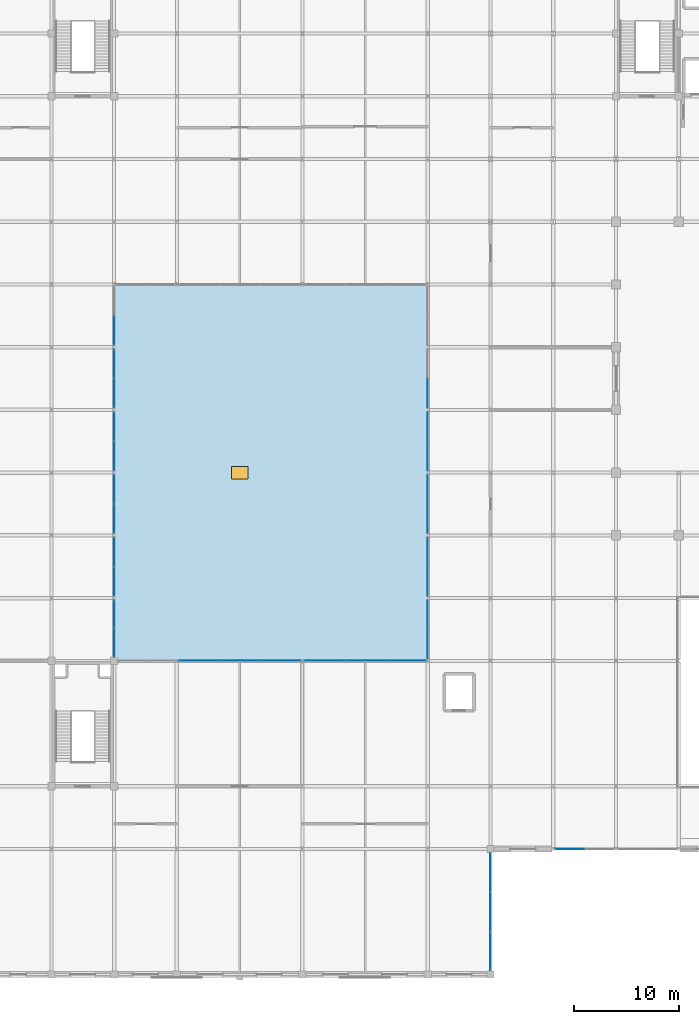
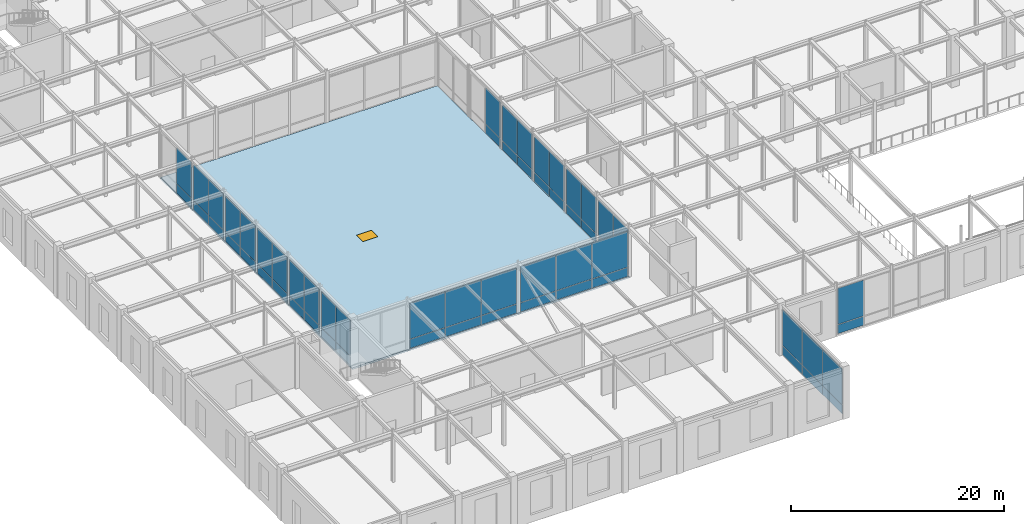
# One storey, part 93 of 108: 60 plates, 1 slab, 1 window, 1 opening, 15 elements without a shape of their own.
"""IFC4 building model written with IfcOpenShell, lengths in metres."""

from ifc_helpers import new_model, si_unit, direction, frame, origin, origin_2d, place, context, subcontext, project, spatial, polyline, rectangle, outline, extrude, material, layer, layer_set, type_object, element, fill, aggregate, save


model = new_model("IFC4")

# Units and contexts
model_context = context("Model", 3, precision=1e-05, world=origin(), true_north=direction((0.0, 1.0)))
body_context = subcontext(model_context, "Body", "Model", "MODEL_VIEW")
ifc_project = project(units=[si_unit("LENGTHUNIT", "METRE"), si_unit("AREAUNIT", "SQUARE_METRE"), si_unit("VOLUMEUNIT", "CUBIC_METRE"), si_unit("PLANEANGLEUNIT", "RADIAN"), si_unit("MASSUNIT", "GRAM", prefix="KILO")], contexts=[model_context])

# Site, building, storey
site_placement = place(None, origin())
site = spatial("IfcSite", under=ifc_project, at=site_placement, CompositionType="ELEMENT")
building_placement = place(site_placement, origin())
building = spatial("IfcBuilding", under=site, at=building_placement, Name="Zlatovratsky Civic Hall", CompositionType="ELEMENT")
storey_placement = place(building_placement, frame((0.0, 0.0, 6.0)))
storey = spatial("IfcBuildingStorey", under=building, at=storey_placement, Name="L02", CompositionType="ELEMENT", Elevation=6.0)

# Curtain wall, plates
ifc_material_1 = material(Name="Anodised bronze aluminium", Category="aluminium")
ifc_layer_1 = layer(ifc_material_1, 0.159912109375)
ifc_layer_set_1 = layer_set([ifc_layer_1], Name="Anodised bronze aluminium")
curtain_wall_type_1 = type_object("IfcCurtainWallType", Name="CurtainWall_Bronze_11700x5310_05", PredefinedType="NOTDEFINED", material=ifc_layer_set_1)
curtain_wall_1_placement = place(storey_placement, origin())
curtain_wall_1 = element("IfcCurtainWall", 1, at=curtain_wall_1_placement, inside=storey, type_object=curtain_wall_type_1, Name="CW-010", PredefinedType="NOTDEFINED")
ifc_material_2 = material(Name="Low-E laminated double glazing", Category="glass")
ifc_layer_2 = layer(ifc_material_2, 0.02392578125)
ifc_layer_set_2 = layer_set([ifc_layer_2], Name="Low-E laminated double glazing")
plate_type_1 = type_object("IfcPlateType", Name="Panel_CourtGlazing_24", PredefinedType="CURTAIN_PANEL", material=ifc_layer_set_2)
plate_1_placement = place(storey_placement, frame((26.114990234375, 30.0, 0.06005859375), z_axis=(0.0, 0.0, 1.0), x_axis=(1.0, 0.0, 0.0)))
plate_1 = element("IfcPlate", 2, at=plate_1_placement, type_object=plate_type_1, Name="CW-05 panel 1.1", PredefinedType="CURTAIN_PANEL", context=body_context, shape_type="SweptSolid", body=[
    extrude(rectangle(XDim=3.81005859375, YDim=0.02392578125, at=origin_2d()), origin(), (0.0, 0.0, 1.0), 1.010009765625),
])
plate_2_placement = place(storey_placement, frame((26.114990234375, 30.0, 1.1298828125), z_axis=(0.0, 0.0, 1.0), x_axis=(1.0, 0.0, 0.0)))
plate_2 = element("IfcPlate", 3, at=plate_2_placement, type_object=plate_type_1, Name="CW-05 panel 1.2", PredefinedType="CURTAIN_PANEL", context=body_context, shape_type="SweptSolid", body=[
    extrude(rectangle(XDim=3.81005859375, YDim=0.02392578125, at=origin_2d()), origin(), (0.0, 0.0, 1.0), 4.1201171875),
])
plate_3_placement = place(storey_placement, frame((30.0, 30.0, 0.06005859375), z_axis=(0.0, 0.0, 1.0), x_axis=(1.0, 0.0, 0.0)))
plate_3 = element("IfcPlate", 4, at=plate_3_placement, type_object=plate_type_1, Name="CW-05 panel 2.1", PredefinedType="CURTAIN_PANEL", context=body_context, shape_type="SweptSolid", body=[
    extrude(rectangle(XDim=3.840087890625, YDim=0.02392578125, at=origin_2d()), origin(), (0.0, 0.0, 1.0), 1.010009765625),
])
plate_4_placement = place(storey_placement, frame((30.0, 30.0, 1.1298828125), z_axis=(0.0, 0.0, 1.0), x_axis=(1.0, 0.0, 0.0)))
plate_4 = element("IfcPlate", 5, at=plate_4_placement, type_object=plate_type_1, Name="CW-05 panel 2.2", PredefinedType="CURTAIN_PANEL", context=body_context, shape_type="SweptSolid", body=[
    extrude(rectangle(XDim=3.840087890625, YDim=0.02392578125, at=origin_2d()), origin(), (0.0, 0.0, 1.0), 4.1201171875),
])
plate_5_placement = place(storey_placement, frame((33.885009765625, 30.0, 0.06005859375), z_axis=(0.0, 0.0, 1.0), x_axis=(1.0, 0.0, 0.0)))
plate_5 = element("IfcPlate", 6, at=plate_5_placement, type_object=plate_type_1, Name="CW-05 panel 3.1", PredefinedType="CURTAIN_PANEL", context=body_context, shape_type="SweptSolid", body=[
    extrude(rectangle(XDim=3.81005859375, YDim=0.02392578125, at=origin_2d()), origin(), (0.0, 0.0, 1.0), 1.010009765625),
])
plate_6_placement = place(storey_placement, frame((33.885009765625, 30.0, 1.1298828125), z_axis=(0.0, 0.0, 1.0), x_axis=(1.0, 0.0, 0.0)))
plate_6 = element("IfcPlate", 7, at=plate_6_placement, type_object=plate_type_1, Name="CW-05 panel 3.2", PredefinedType="CURTAIN_PANEL", context=body_context, shape_type="SweptSolid", body=[
    extrude(rectangle(XDim=3.81005859375, YDim=0.02392578125, at=origin_2d()), origin(), (0.0, 0.0, 1.0), 4.1201171875),
])
aggregate(curtain_wall_1, [plate_1, plate_2, plate_3, plate_4, plate_5, plate_6])

curtain_wall_2_placement = place(storey_placement, origin())
curtain_wall_2 = element("IfcCurtainWall", 8, at=curtain_wall_2_placement, inside=storey, type_object=curtain_wall_type_1, Name="CW-011", PredefinedType="NOTDEFINED")
plate_7_placement = place(storey_placement, frame((38.114990234375, 30.0, 0.06005859375), z_axis=(0.0, 0.0, 1.0), x_axis=(1.0, 0.0, 0.0)))
plate_7 = element("IfcPlate", 9, at=plate_7_placement, type_object=plate_type_1, Name="CW-05 panel 1.1", PredefinedType="CURTAIN_PANEL", context=body_context, shape_type="SweptSolid", body=[
    extrude(rectangle(XDim=3.81005859375, YDim=0.02392578125, at=origin_2d()), origin(), (0.0, 0.0, 1.0), 1.010009765625),
])
plate_8_placement = place(storey_placement, frame((38.114990234375, 30.0, 1.1298828125), z_axis=(0.0, 0.0, 1.0), x_axis=(1.0, 0.0, 0.0)))
plate_8 = element("IfcPlate", 10, at=plate_8_placement, type_object=plate_type_1, Name="CW-05 panel 1.2", PredefinedType="CURTAIN_PANEL", context=body_context, shape_type="SweptSolid", body=[
    extrude(rectangle(XDim=3.81005859375, YDim=0.02392578125, at=origin_2d()), origin(), (0.0, 0.0, 1.0), 4.1201171875),
])
plate_9_placement = place(storey_placement, frame((42.0, 30.0, 0.06005859375), z_axis=(0.0, 0.0, 1.0), x_axis=(1.0, 0.0, 0.0)))
plate_9 = element("IfcPlate", 11, at=plate_9_placement, type_object=plate_type_1, Name="CW-05 panel 2.1", PredefinedType="CURTAIN_PANEL", context=body_context, shape_type="SweptSolid", body=[
    extrude(rectangle(XDim=3.840087890625, YDim=0.02392578125, at=origin_2d()), origin(), (0.0, 0.0, 1.0), 1.010009765625),
])
plate_10_placement = place(storey_placement, frame((42.0, 30.0, 1.1298828125), z_axis=(0.0, 0.0, 1.0), x_axis=(1.0, 0.0, 0.0)))
plate_10 = element("IfcPlate", 12, at=plate_10_placement, type_object=plate_type_1, Name="CW-05 panel 2.2", PredefinedType="CURTAIN_PANEL", context=body_context, shape_type="SweptSolid", body=[
    extrude(rectangle(XDim=3.840087890625, YDim=0.02392578125, at=origin_2d()), origin(), (0.0, 0.0, 1.0), 4.1201171875),
])
plate_11_placement = place(storey_placement, frame((45.885009765625, 30.0, 0.06005859375), z_axis=(0.0, 0.0, 1.0), x_axis=(1.0, 0.0, 0.0)))
plate_11 = element("IfcPlate", 13, at=plate_11_placement, type_object=plate_type_1, Name="CW-05 panel 3.1", PredefinedType="CURTAIN_PANEL", context=body_context, shape_type="SweptSolid", body=[
    extrude(rectangle(XDim=3.81005859375, YDim=0.02392578125, at=origin_2d()), origin(), (0.0, 0.0, 1.0), 1.010009765625),
])
plate_12_placement = place(storey_placement, frame((45.885009765625, 30.0, 1.1298828125), z_axis=(0.0, 0.0, 1.0), x_axis=(1.0, 0.0, 0.0)))
plate_12 = element("IfcPlate", 14, at=plate_12_placement, type_object=plate_type_1, Name="CW-05 panel 3.2", PredefinedType="CURTAIN_PANEL", context=body_context, shape_type="SweptSolid", body=[
    extrude(rectangle(XDim=3.81005859375, YDim=0.02392578125, at=origin_2d()), origin(), (0.0, 0.0, 1.0), 4.1201171875),
])
aggregate(curtain_wall_2, [plate_7, plate_8, plate_9, plate_10, plate_11, plate_12])

ifc_layer_3 = layer(ifc_material_1, 0.159912109375)
ifc_layer_set_3 = layer_set([ifc_layer_3], Name="Anodised bronze aluminium")
curtain_wall_type_2 = type_object("IfcCurtainWallType", Name="CurtainWall_Bronze_5500x5310_04", PredefinedType="NOTDEFINED", material=ifc_layer_set_3)
curtain_wall_3_placement = place(storey_placement, origin())
curtain_wall_3 = element("IfcCurtainWall", 15, at=curtain_wall_3_placement, inside=storey, type_object=curtain_wall_type_2, Name="CW-015", PredefinedType="NOTDEFINED")
plate_13_placement = place(storey_placement, frame((18.0, 31.739990234375, 0.06005859375), z_axis=(0.0, 0.0, 1.0), x_axis=(0.0, 1.0, 0.0)))
plate_13 = element("IfcPlate", 16, at=plate_13_placement, type_object=plate_type_1, Name="CW-04 panel 1.1", PredefinedType="CURTAIN_PANEL", context=body_context, shape_type="SweptSolid", body=[
    extrude(rectangle(XDim=2.659912109375, YDim=0.02392578125, at=origin_2d()), origin(), (0.0, 0.0, 1.0), 1.010009765625),
])
plate_14_placement = place(storey_placement, frame((18.0, 31.739990234375, 1.1298828125), z_axis=(0.0, 0.0, 1.0), x_axis=(0.0, 1.0, 0.0)))
plate_14 = element("IfcPlate", 17, at=plate_14_placement, type_object=plate_type_1, Name="CW-04 panel 1.2", PredefinedType="CURTAIN_PANEL", context=body_context, shape_type="SweptSolid", body=[
    extrude(rectangle(XDim=2.659912109375, YDim=0.02392578125, at=origin_2d()), origin(), (0.0, 0.0, 1.0), 4.1201171875),
])
plate_15_placement = place(storey_placement, frame((18.0, 34.4599609375, 0.06005859375), z_axis=(0.0, 0.0, 1.0), x_axis=(0.0, 1.0, 0.0)))
plate_15 = element("IfcPlate", 18, at=plate_15_placement, type_object=plate_type_1, Name="CW-04 panel 2.1", PredefinedType="CURTAIN_PANEL", context=body_context, shape_type="SweptSolid", body=[
    extrude(rectangle(XDim=2.659912109375, YDim=0.02392578125, at=origin_2d()), origin(), (0.0, 0.0, 1.0), 1.010009765625),
])
plate_16_placement = place(storey_placement, frame((18.0, 34.4599609375, 1.1298828125), z_axis=(0.0, 0.0, 1.0), x_axis=(0.0, 1.0, 0.0)))
plate_16 = element("IfcPlate", 19, at=plate_16_placement, type_object=plate_type_1, Name="CW-04 panel 2.2", PredefinedType="CURTAIN_PANEL", context=body_context, shape_type="SweptSolid", body=[
    extrude(rectangle(XDim=2.659912109375, YDim=0.02392578125, at=origin_2d()), origin(), (0.0, 0.0, 1.0), 4.1201171875),
])
aggregate(curtain_wall_3, [plate_13, plate_14, plate_15, plate_16])

ifc_layer_4 = layer(ifc_material_1, 0.159912109375)
ifc_layer_set_4 = layer_set([ifc_layer_4], Name="Anodised bronze aluminium")
curtain_wall_type_3 = type_object("IfcCurtainWallType", Name="CurtainWall_Bronze_5700x5310_06", PredefinedType="NOTDEFINED", material=ifc_layer_set_4)
curtain_wall_4_placement = place(storey_placement, origin())
curtain_wall_4 = element("IfcCurtainWall", 20, at=curtain_wall_4_placement, inside=storey, type_object=curtain_wall_type_3, Name="CW-016", PredefinedType="NOTDEFINED")
plate_17_placement = place(storey_placement, frame((18.0, 37.590087890625, 0.06005859375), z_axis=(0.0, 0.0, 1.0), x_axis=(0.0, 1.0, 0.0)))
plate_17 = element("IfcPlate", 21, at=plate_17_placement, type_object=plate_type_1, Name="CW-06 panel 1.1", PredefinedType="CURTAIN_PANEL", context=body_context, shape_type="SweptSolid", body=[
    extrude(rectangle(XDim=2.760009765625, YDim=0.02392578125, at=origin_2d()), origin(), (0.0, 0.0, 1.0), 1.010009765625),
])
plate_18_placement = place(storey_placement, frame((18.0, 37.590087890625, 1.1298828125), z_axis=(0.0, 0.0, 1.0), x_axis=(0.0, 1.0, 0.0)))
plate_18 = element("IfcPlate", 22, at=plate_18_placement, type_object=plate_type_1, Name="CW-06 panel 1.2", PredefinedType="CURTAIN_PANEL", context=body_context, shape_type="SweptSolid", body=[
    extrude(rectangle(XDim=2.760009765625, YDim=0.02392578125, at=origin_2d()), origin(), (0.0, 0.0, 1.0), 4.1201171875),
])
plate_19_placement = place(storey_placement, frame((18.0, 40.409912109375, 0.06005859375), z_axis=(0.0, 0.0, 1.0), x_axis=(0.0, 1.0, 0.0)))
plate_19 = element("IfcPlate", 23, at=plate_19_placement, type_object=plate_type_1, Name="CW-06 panel 2.1", PredefinedType="CURTAIN_PANEL", context=body_context, shape_type="SweptSolid", body=[
    extrude(rectangle(XDim=2.760009765625, YDim=0.02392578125, at=origin_2d()), origin(), (0.0, 0.0, 1.0), 1.010009765625),
])
plate_20_placement = place(storey_placement, frame((18.0, 40.409912109375, 1.1298828125), z_axis=(0.0, 0.0, 1.0), x_axis=(0.0, 1.0, 0.0)))
plate_20 = element("IfcPlate", 24, at=plate_20_placement, type_object=plate_type_1, Name="CW-06 panel 2.2", PredefinedType="CURTAIN_PANEL", context=body_context, shape_type="SweptSolid", body=[
    extrude(rectangle(XDim=2.760009765625, YDim=0.02392578125, at=origin_2d()), origin(), (0.0, 0.0, 1.0), 4.1201171875),
])
aggregate(curtain_wall_4, [plate_17, plate_18, plate_19, plate_20])

curtain_wall_5_placement = place(storey_placement, origin())
curtain_wall_5 = element("IfcCurtainWall", 25, at=curtain_wall_5_placement, inside=storey, type_object=curtain_wall_type_3, Name="CW-017", PredefinedType="NOTDEFINED")
plate_21_placement = place(storey_placement, frame((18.0, 43.590087890625, 0.06005859375), z_axis=(0.0, 0.0, 1.0), x_axis=(0.0, 1.0, 0.0)))
plate_21 = element("IfcPlate", 26, at=plate_21_placement, type_object=plate_type_1, Name="CW-06 panel 1.1", PredefinedType="CURTAIN_PANEL", context=body_context, shape_type="SweptSolid", body=[
    extrude(rectangle(XDim=2.760009765625, YDim=0.02392578125, at=origin_2d()), origin(), (0.0, 0.0, 1.0), 1.010009765625),
])
plate_22_placement = place(storey_placement, frame((18.0, 43.590087890625, 1.1298828125), z_axis=(0.0, 0.0, 1.0), x_axis=(0.0, 1.0, 0.0)))
plate_22 = element("IfcPlate", 27, at=plate_22_placement, type_object=plate_type_1, Name="CW-06 panel 1.2", PredefinedType="CURTAIN_PANEL", context=body_context, shape_type="SweptSolid", body=[
    extrude(rectangle(XDim=2.760009765625, YDim=0.02392578125, at=origin_2d()), origin(), (0.0, 0.0, 1.0), 4.1201171875),
])
plate_23_placement = place(storey_placement, frame((18.0, 46.409912109375, 0.06005859375), z_axis=(0.0, 0.0, 1.0), x_axis=(0.0, 1.0, 0.0)))
plate_23 = element("IfcPlate", 28, at=plate_23_placement, type_object=plate_type_1, Name="CW-06 panel 2.1", PredefinedType="CURTAIN_PANEL", context=body_context, shape_type="SweptSolid", body=[
    extrude(rectangle(XDim=2.760009765625, YDim=0.02392578125, at=origin_2d()), origin(), (0.0, 0.0, 1.0), 1.010009765625),
])
plate_24_placement = place(storey_placement, frame((18.0, 46.409912109375, 1.1298828125), z_axis=(0.0, 0.0, 1.0), x_axis=(0.0, 1.0, 0.0)))
plate_24 = element("IfcPlate", 29, at=plate_24_placement, type_object=plate_type_1, Name="CW-06 panel 2.2", PredefinedType="CURTAIN_PANEL", context=body_context, shape_type="SweptSolid", body=[
    extrude(rectangle(XDim=2.760009765625, YDim=0.02392578125, at=origin_2d()), origin(), (0.0, 0.0, 1.0), 4.1201171875),
])
aggregate(curtain_wall_5, [plate_21, plate_22, plate_23, plate_24])

curtain_wall_6_placement = place(storey_placement, origin())
curtain_wall_6 = element("IfcCurtainWall", 30, at=curtain_wall_6_placement, inside=storey, type_object=curtain_wall_type_3, Name="CW-018", PredefinedType="NOTDEFINED")
plate_25_placement = place(storey_placement, frame((18.0, 49.590087890625, 0.06005859375), z_axis=(0.0, 0.0, 1.0), x_axis=(0.0, 1.0, 0.0)))
plate_25 = element("IfcPlate", 31, at=plate_25_placement, type_object=plate_type_1, Name="CW-06 panel 1.1", PredefinedType="CURTAIN_PANEL", context=body_context, shape_type="SweptSolid", body=[
    extrude(rectangle(XDim=2.760009765625, YDim=0.02392578125, at=origin_2d()), origin(), (0.0, 0.0, 1.0), 1.010009765625),
])
plate_26_placement = place(storey_placement, frame((18.0, 49.590087890625, 1.1298828125), z_axis=(0.0, 0.0, 1.0), x_axis=(0.0, 1.0, 0.0)))
plate_26 = element("IfcPlate", 32, at=plate_26_placement, type_object=plate_type_1, Name="CW-06 panel 1.2", PredefinedType="CURTAIN_PANEL", context=body_context, shape_type="SweptSolid", body=[
    extrude(rectangle(XDim=2.760009765625, YDim=0.02392578125, at=origin_2d()), origin(), (0.0, 0.0, 1.0), 4.1201171875),
])
plate_27_placement = place(storey_placement, frame((18.0, 52.409912109375, 0.06005859375), z_axis=(0.0, 0.0, 1.0), x_axis=(0.0, 1.0, 0.0)))
plate_27 = element("IfcPlate", 33, at=plate_27_placement, type_object=plate_type_1, Name="CW-06 panel 2.1", PredefinedType="CURTAIN_PANEL", context=body_context, shape_type="SweptSolid", body=[
    extrude(rectangle(XDim=2.760009765625, YDim=0.02392578125, at=origin_2d()), origin(), (0.0, 0.0, 1.0), 1.010009765625),
])
plate_28_placement = place(storey_placement, frame((18.0, 52.409912109375, 1.1298828125), z_axis=(0.0, 0.0, 1.0), x_axis=(0.0, 1.0, 0.0)))
plate_28 = element("IfcPlate", 34, at=plate_28_placement, type_object=plate_type_1, Name="CW-06 panel 2.2", PredefinedType="CURTAIN_PANEL", context=body_context, shape_type="SweptSolid", body=[
    extrude(rectangle(XDim=2.760009765625, YDim=0.02392578125, at=origin_2d()), origin(), (0.0, 0.0, 1.0), 4.1201171875),
])
aggregate(curtain_wall_6, [plate_25, plate_26, plate_27, plate_28])

curtain_wall_7_placement = place(storey_placement, origin())
curtain_wall_7 = element("IfcCurtainWall", 35, at=curtain_wall_7_placement, inside=storey, type_object=curtain_wall_type_3, Name="CW-019", PredefinedType="NOTDEFINED")
plate_29_placement = place(storey_placement, frame((18.0, 55.590087890625, 0.06005859375), z_axis=(0.0, 0.0, 1.0), x_axis=(0.0, 1.0, 0.0)))
plate_29 = element("IfcPlate", 36, at=plate_29_placement, type_object=plate_type_1, Name="CW-06 panel 1.1", PredefinedType="CURTAIN_PANEL", context=body_context, shape_type="SweptSolid", body=[
    extrude(rectangle(XDim=2.760009765625, YDim=0.02392578125, at=origin_2d()), origin(), (0.0, 0.0, 1.0), 1.010009765625),
])
plate_30_placement = place(storey_placement, frame((18.0, 55.590087890625, 1.1298828125), z_axis=(0.0, 0.0, 1.0), x_axis=(0.0, 1.0, 0.0)))
plate_30 = element("IfcPlate", 37, at=plate_30_placement, type_object=plate_type_1, Name="CW-06 panel 1.2", PredefinedType="CURTAIN_PANEL", context=body_context, shape_type="SweptSolid", body=[
    extrude(rectangle(XDim=2.760009765625, YDim=0.02392578125, at=origin_2d()), origin(), (0.0, 0.0, 1.0), 4.1201171875),
])
plate_31_placement = place(storey_placement, frame((18.0, 58.409912109375, 0.06005859375), z_axis=(0.0, 0.0, 1.0), x_axis=(0.0, 1.0, 0.0)))
plate_31 = element("IfcPlate", 38, at=plate_31_placement, type_object=plate_type_1, Name="CW-06 panel 2.1", PredefinedType="CURTAIN_PANEL", context=body_context, shape_type="SweptSolid", body=[
    extrude(rectangle(XDim=2.760009765625, YDim=0.02392578125, at=origin_2d()), origin(), (0.0, 0.0, 1.0), 1.010009765625),
])
plate_32_placement = place(storey_placement, frame((18.0, 58.409912109375, 1.1298828125), z_axis=(0.0, 0.0, 1.0), x_axis=(0.0, 1.0, 0.0)))
plate_32 = element("IfcPlate", 39, at=plate_32_placement, type_object=plate_type_1, Name="CW-06 panel 2.2", PredefinedType="CURTAIN_PANEL", context=body_context, shape_type="SweptSolid", body=[
    extrude(rectangle(XDim=2.760009765625, YDim=0.02392578125, at=origin_2d()), origin(), (0.0, 0.0, 1.0), 4.1201171875),
])
aggregate(curtain_wall_7, [plate_29, plate_30, plate_31, plate_32])

curtain_wall_8_placement = place(storey_placement, origin())
curtain_wall_8 = element("IfcCurtainWall", 40, at=curtain_wall_8_placement, inside=storey, type_object=curtain_wall_type_3, Name="CW-020", PredefinedType="NOTDEFINED")
plate_33_placement = place(storey_placement, frame((18.0, 61.590087890625, 0.06005859375), z_axis=(0.0, 0.0, 1.0), x_axis=(0.0, 1.0, 0.0)))
plate_33 = element("IfcPlate", 41, at=plate_33_placement, type_object=plate_type_1, Name="CW-06 panel 1.1", PredefinedType="CURTAIN_PANEL", context=body_context, shape_type="SweptSolid", body=[
    extrude(rectangle(XDim=2.760009765625, YDim=0.02392578125, at=origin_2d()), origin(), (0.0, 0.0, 1.0), 1.010009765625),
])
plate_34_placement = place(storey_placement, frame((18.0, 61.590087890625, 1.1298828125), z_axis=(0.0, 0.0, 1.0), x_axis=(0.0, 1.0, 0.0)))
plate_34 = element("IfcPlate", 42, at=plate_34_placement, type_object=plate_type_1, Name="CW-06 panel 1.2", PredefinedType="CURTAIN_PANEL", context=body_context, shape_type="SweptSolid", body=[
    extrude(rectangle(XDim=2.760009765625, YDim=0.02392578125, at=origin_2d()), origin(), (0.0, 0.0, 1.0), 4.1201171875),
])
aggregate(curtain_wall_8, [plate_33, plate_34])

curtain_wall_9_placement = place(storey_placement, origin())
curtain_wall_9 = element("IfcCurtainWall", 43, at=curtain_wall_9_placement, inside=storey, type_object=curtain_wall_type_3, Name="CW-021", PredefinedType="NOTDEFINED")
plate_35_placement = place(storey_placement, frame((48.0, 31.590087890625, 0.06005859375), z_axis=(0.0, 0.0, 1.0), x_axis=(0.0, 1.0, 0.0)))
plate_35 = element("IfcPlate", 44, at=plate_35_placement, type_object=plate_type_1, Name="CW-06 panel 1.1", PredefinedType="CURTAIN_PANEL", context=body_context, shape_type="SweptSolid", body=[
    extrude(rectangle(XDim=2.760009765625, YDim=0.02392578125, at=origin_2d()), origin(), (0.0, 0.0, 1.0), 1.010009765625),
])
plate_36_placement = place(storey_placement, frame((48.0, 31.590087890625, 1.1298828125), z_axis=(0.0, 0.0, 1.0), x_axis=(0.0, 1.0, 0.0)))
plate_36 = element("IfcPlate", 45, at=plate_36_placement, type_object=plate_type_1, Name="CW-06 panel 1.2", PredefinedType="CURTAIN_PANEL", context=body_context, shape_type="SweptSolid", body=[
    extrude(rectangle(XDim=2.760009765625, YDim=0.02392578125, at=origin_2d()), origin(), (0.0, 0.0, 1.0), 4.1201171875),
])
plate_37_placement = place(storey_placement, frame((48.0, 34.409912109375, 0.06005859375), z_axis=(0.0, 0.0, 1.0), x_axis=(0.0, 1.0, 0.0)))
plate_37 = element("IfcPlate", 46, at=plate_37_placement, type_object=plate_type_1, Name="CW-06 panel 2.1", PredefinedType="CURTAIN_PANEL", context=body_context, shape_type="SweptSolid", body=[
    extrude(rectangle(XDim=2.760009765625, YDim=0.02392578125, at=origin_2d()), origin(), (0.0, 0.0, 1.0), 1.010009765625),
])
plate_38_placement = place(storey_placement, frame((48.0, 34.409912109375, 1.1298828125), z_axis=(0.0, 0.0, 1.0), x_axis=(0.0, 1.0, 0.0)))
plate_38 = element("IfcPlate", 47, at=plate_38_placement, type_object=plate_type_1, Name="CW-06 panel 2.2", PredefinedType="CURTAIN_PANEL", context=body_context, shape_type="SweptSolid", body=[
    extrude(rectangle(XDim=2.760009765625, YDim=0.02392578125, at=origin_2d()), origin(), (0.0, 0.0, 1.0), 4.1201171875),
])
aggregate(curtain_wall_9, [plate_35, plate_36, plate_37, plate_38])

curtain_wall_10_placement = place(storey_placement, origin())
curtain_wall_10 = element("IfcCurtainWall", 48, at=curtain_wall_10_placement, inside=storey, type_object=curtain_wall_type_3, Name="CW-022", PredefinedType="NOTDEFINED")
plate_39_placement = place(storey_placement, frame((48.0, 37.590087890625, 0.06005859375), z_axis=(0.0, 0.0, 1.0), x_axis=(0.0, 1.0, 0.0)))
plate_39 = element("IfcPlate", 49, at=plate_39_placement, type_object=plate_type_1, Name="CW-06 panel 1.1", PredefinedType="CURTAIN_PANEL", context=body_context, shape_type="SweptSolid", body=[
    extrude(rectangle(XDim=2.760009765625, YDim=0.02392578125, at=origin_2d()), origin(), (0.0, 0.0, 1.0), 1.010009765625),
])
plate_40_placement = place(storey_placement, frame((48.0, 37.590087890625, 1.1298828125), z_axis=(0.0, 0.0, 1.0), x_axis=(0.0, 1.0, 0.0)))
plate_40 = element("IfcPlate", 50, at=plate_40_placement, type_object=plate_type_1, Name="CW-06 panel 1.2", PredefinedType="CURTAIN_PANEL", context=body_context, shape_type="SweptSolid", body=[
    extrude(rectangle(XDim=2.760009765625, YDim=0.02392578125, at=origin_2d()), origin(), (0.0, 0.0, 1.0), 4.1201171875),
])
plate_41_placement = place(storey_placement, frame((48.0, 40.409912109375, 0.06005859375), z_axis=(0.0, 0.0, 1.0), x_axis=(0.0, 1.0, 0.0)))
plate_41 = element("IfcPlate", 51, at=plate_41_placement, type_object=plate_type_1, Name="CW-06 panel 2.1", PredefinedType="CURTAIN_PANEL", context=body_context, shape_type="SweptSolid", body=[
    extrude(rectangle(XDim=2.760009765625, YDim=0.02392578125, at=origin_2d()), origin(), (0.0, 0.0, 1.0), 1.010009765625),
])
plate_42_placement = place(storey_placement, frame((48.0, 40.409912109375, 1.1298828125), z_axis=(0.0, 0.0, 1.0), x_axis=(0.0, 1.0, 0.0)))
plate_42 = element("IfcPlate", 52, at=plate_42_placement, type_object=plate_type_1, Name="CW-06 panel 2.2", PredefinedType="CURTAIN_PANEL", context=body_context, shape_type="SweptSolid", body=[
    extrude(rectangle(XDim=2.760009765625, YDim=0.02392578125, at=origin_2d()), origin(), (0.0, 0.0, 1.0), 4.1201171875),
])
aggregate(curtain_wall_10, [plate_39, plate_40, plate_41, plate_42])

curtain_wall_11_placement = place(storey_placement, origin())
curtain_wall_11 = element("IfcCurtainWall", 53, at=curtain_wall_11_placement, inside=storey, type_object=curtain_wall_type_3, Name="CW-023", PredefinedType="NOTDEFINED")
plate_43_placement = place(storey_placement, frame((48.0, 43.590087890625, 0.06005859375), z_axis=(0.0, 0.0, 1.0), x_axis=(0.0, 1.0, 0.0)))
plate_43 = element("IfcPlate", 54, at=plate_43_placement, type_object=plate_type_1, Name="CW-06 panel 1.1", PredefinedType="CURTAIN_PANEL", context=body_context, shape_type="SweptSolid", body=[
    extrude(rectangle(XDim=2.760009765625, YDim=0.02392578125, at=origin_2d()), origin(), (0.0, 0.0, 1.0), 1.010009765625),
])
plate_44_placement = place(storey_placement, frame((48.0, 43.590087890625, 1.1298828125), z_axis=(0.0, 0.0, 1.0), x_axis=(0.0, 1.0, 0.0)))
plate_44 = element("IfcPlate", 55, at=plate_44_placement, type_object=plate_type_1, Name="CW-06 panel 1.2", PredefinedType="CURTAIN_PANEL", context=body_context, shape_type="SweptSolid", body=[
    extrude(rectangle(XDim=2.760009765625, YDim=0.02392578125, at=origin_2d()), origin(), (0.0, 0.0, 1.0), 4.1201171875),
])
plate_45_placement = place(storey_placement, frame((48.0, 46.409912109375, 0.06005859375), z_axis=(0.0, 0.0, 1.0), x_axis=(0.0, 1.0, 0.0)))
plate_45 = element("IfcPlate", 56, at=plate_45_placement, type_object=plate_type_1, Name="CW-06 panel 2.1", PredefinedType="CURTAIN_PANEL", context=body_context, shape_type="SweptSolid", body=[
    extrude(rectangle(XDim=2.760009765625, YDim=0.02392578125, at=origin_2d()), origin(), (0.0, 0.0, 1.0), 1.010009765625),
])
plate_46_placement = place(storey_placement, frame((48.0, 46.409912109375, 1.1298828125), z_axis=(0.0, 0.0, 1.0), x_axis=(0.0, 1.0, 0.0)))
plate_46 = element("IfcPlate", 57, at=plate_46_placement, type_object=plate_type_1, Name="CW-06 panel 2.2", PredefinedType="CURTAIN_PANEL", context=body_context, shape_type="SweptSolid", body=[
    extrude(rectangle(XDim=2.760009765625, YDim=0.02392578125, at=origin_2d()), origin(), (0.0, 0.0, 1.0), 4.1201171875),
])
aggregate(curtain_wall_11, [plate_43, plate_44, plate_45, plate_46])

curtain_wall_12_placement = place(storey_placement, origin())
curtain_wall_12 = element("IfcCurtainWall", 58, at=curtain_wall_12_placement, inside=storey, type_object=curtain_wall_type_3, Name="CW-024", PredefinedType="NOTDEFINED")
plate_47_placement = place(storey_placement, frame((48.0, 49.590087890625, 0.06005859375), z_axis=(0.0, 0.0, 1.0), x_axis=(0.0, 1.0, 0.0)))
plate_47 = element("IfcPlate", 59, at=plate_47_placement, type_object=plate_type_1, Name="CW-06 panel 1.1", PredefinedType="CURTAIN_PANEL", context=body_context, shape_type="SweptSolid", body=[
    extrude(rectangle(XDim=2.760009765625, YDim=0.02392578125, at=origin_2d()), origin(), (0.0, 0.0, 1.0), 1.010009765625),
])
plate_48_placement = place(storey_placement, frame((48.0, 49.590087890625, 1.1298828125), z_axis=(0.0, 0.0, 1.0), x_axis=(0.0, 1.0, 0.0)))
plate_48 = element("IfcPlate", 60, at=plate_48_placement, type_object=plate_type_1, Name="CW-06 panel 1.2", PredefinedType="CURTAIN_PANEL", context=body_context, shape_type="SweptSolid", body=[
    extrude(rectangle(XDim=2.760009765625, YDim=0.02392578125, at=origin_2d()), origin(), (0.0, 0.0, 1.0), 4.1201171875),
])
plate_49_placement = place(storey_placement, frame((48.0, 52.409912109375, 0.06005859375), z_axis=(0.0, 0.0, 1.0), x_axis=(0.0, 1.0, 0.0)))
plate_49 = element("IfcPlate", 61, at=plate_49_placement, type_object=plate_type_1, Name="CW-06 panel 2.1", PredefinedType="CURTAIN_PANEL", context=body_context, shape_type="SweptSolid", body=[
    extrude(rectangle(XDim=2.760009765625, YDim=0.02392578125, at=origin_2d()), origin(), (0.0, 0.0, 1.0), 1.010009765625),
])
plate_50_placement = place(storey_placement, frame((48.0, 52.409912109375, 1.1298828125), z_axis=(0.0, 0.0, 1.0), x_axis=(0.0, 1.0, 0.0)))
plate_50 = element("IfcPlate", 62, at=plate_50_placement, type_object=plate_type_1, Name="CW-06 panel 2.2", PredefinedType="CURTAIN_PANEL", context=body_context, shape_type="SweptSolid", body=[
    extrude(rectangle(XDim=2.760009765625, YDim=0.02392578125, at=origin_2d()), origin(), (0.0, 0.0, 1.0), 4.1201171875),
])
aggregate(curtain_wall_12, [plate_47, plate_48, plate_49, plate_50])

curtain_wall_13_placement = place(storey_placement, origin())
curtain_wall_13 = element("IfcCurtainWall", 63, at=curtain_wall_13_placement, inside=storey, type_object=curtain_wall_type_3, Name="CW-025", PredefinedType="NOTDEFINED")
plate_51_placement = place(storey_placement, frame((48.0, 55.590087890625, 0.06005859375), z_axis=(0.0, 0.0, 1.0), x_axis=(0.0, 1.0, 0.0)))
plate_51 = element("IfcPlate", 64, at=plate_51_placement, type_object=plate_type_1, Name="CW-06 panel 1.1", PredefinedType="CURTAIN_PANEL", context=body_context, shape_type="SweptSolid", body=[
    extrude(rectangle(XDim=2.760009765625, YDim=0.02392578125, at=origin_2d()), origin(), (0.0, 0.0, 1.0), 1.010009765625),
])
plate_52_placement = place(storey_placement, frame((48.0, 55.590087890625, 1.1298828125), z_axis=(0.0, 0.0, 1.0), x_axis=(0.0, 1.0, 0.0)))
plate_52 = element("IfcPlate", 65, at=plate_52_placement, type_object=plate_type_1, Name="CW-06 panel 1.2", PredefinedType="CURTAIN_PANEL", context=body_context, shape_type="SweptSolid", body=[
    extrude(rectangle(XDim=2.760009765625, YDim=0.02392578125, at=origin_2d()), origin(), (0.0, 0.0, 1.0), 4.1201171875),
])
aggregate(curtain_wall_13, [plate_51, plate_52])

ifc_layer_5 = layer(ifc_material_1, 0.159912109375)
ifc_layer_set_5 = layer_set([ifc_layer_5], Name="Anodised bronze aluminium")
curtain_wall_type_4 = type_object("IfcCurtainWallType", Name="CurtainWall_Bronze_11300x5310_02", PredefinedType="NOTDEFINED", material=ifc_layer_set_5)
curtain_wall_14_placement = place(storey_placement, origin())
curtain_wall_14 = element("IfcCurtainWall", 66, at=curtain_wall_14_placement, inside=storey, type_object=curtain_wall_type_4, Name="CW-003", PredefinedType="NOTDEFINED")
ifc_material_3 = material(Name="Solar-control triple glazing", Category="glass")
ifc_layer_6 = layer(ifc_material_3, 0.028076171875)
ifc_layer_set_6 = layer_set([ifc_layer_6], Name="Solar-control triple glazing")
plate_type_2 = type_object("IfcPlateType", Name="Panel_TowerTripleGlazing_28", PredefinedType="CURTAIN_PANEL", material=ifc_layer_set_6)
plate_53_placement = place(storey_placement, frame((54.0, 2.248291015625, 0.06005859375), z_axis=(0.0, 0.0, 1.0), x_axis=(0.0, 1.0, 0.0)))
plate_53 = element("IfcPlate", 67, at=plate_53_placement, type_object=plate_type_2, Name="CW-02 panel 1.1", PredefinedType="CURTAIN_PANEL", context=body_context, shape_type="SweptSolid", body=[
    extrude(rectangle(XDim=3.6767578125, YDim=0.028076171875, at=origin_2d()), origin(), (0.0, 0.0, 1.0), 1.010009765625),
])
plate_54_placement = place(storey_placement, frame((54.0, 2.248291015625, 1.1298828125), z_axis=(0.0, 0.0, 1.0), x_axis=(0.0, 1.0, 0.0)))
plate_54 = element("IfcPlate", 68, at=plate_54_placement, type_object=plate_type_2, Name="CW-02 panel 1.2", PredefinedType="CURTAIN_PANEL", context=body_context, shape_type="SweptSolid", body=[
    extrude(rectangle(XDim=3.6767578125, YDim=0.028076171875, at=origin_2d()), origin(), (0.0, 0.0, 1.0), 4.1201171875),
])
plate_55_placement = place(storey_placement, frame((54.0, 6.0, 0.06005859375), z_axis=(0.0, 0.0, 1.0), x_axis=(0.0, 1.0, 0.0)))
plate_55 = element("IfcPlate", 69, at=plate_55_placement, type_object=plate_type_2, Name="CW-02 panel 2.1", PredefinedType="CURTAIN_PANEL", context=body_context, shape_type="SweptSolid", body=[
    extrude(rectangle(XDim=3.706787109375, YDim=0.028076171875, at=origin_2d()), origin(), (0.0, 0.0, 1.0), 1.010009765625),
])
plate_56_placement = place(storey_placement, frame((54.0, 6.0, 1.1298828125), z_axis=(0.0, 0.0, 1.0), x_axis=(0.0, 1.0, 0.0)))
plate_56 = element("IfcPlate", 70, at=plate_56_placement, type_object=plate_type_2, Name="CW-02 panel 2.2", PredefinedType="CURTAIN_PANEL", context=body_context, shape_type="SweptSolid", body=[
    extrude(rectangle(XDim=3.706787109375, YDim=0.028076171875, at=origin_2d()), origin(), (0.0, 0.0, 1.0), 4.1201171875),
])
plate_57_placement = place(storey_placement, frame((54.0, 9.751708984375, 0.06005859375), z_axis=(0.0, 0.0, 1.0), x_axis=(0.0, 1.0, 0.0)))
plate_57 = element("IfcPlate", 71, at=plate_57_placement, type_object=plate_type_2, Name="CW-02 panel 3.1", PredefinedType="CURTAIN_PANEL", context=body_context, shape_type="SweptSolid", body=[
    extrude(rectangle(XDim=3.6767578125, YDim=0.028076171875, at=origin_2d()), origin(), (0.0, 0.0, 1.0), 1.010009765625),
])
plate_58_placement = place(storey_placement, frame((54.0, 9.751708984375, 1.1298828125), z_axis=(0.0, 0.0, 1.0), x_axis=(0.0, 1.0, 0.0)))
plate_58 = element("IfcPlate", 72, at=plate_58_placement, type_object=plate_type_2, Name="CW-02 panel 3.2", PredefinedType="CURTAIN_PANEL", context=body_context, shape_type="SweptSolid", body=[
    extrude(rectangle(XDim=3.6767578125, YDim=0.028076171875, at=origin_2d()), origin(), (0.0, 0.0, 1.0), 4.1201171875),
])
aggregate(curtain_wall_14, [plate_53, plate_54, plate_55, plate_56, plate_57, plate_58])

ifc_layer_7 = layer(ifc_material_1, 0.159912109375)
ifc_layer_set_7 = layer_set([ifc_layer_7], Name="Anodised bronze aluminium")
curtain_wall_type_5 = type_object("IfcCurtainWallType", Name="CurtainWall_Bronze_5730x5310_03", PredefinedType="NOTDEFINED", material=ifc_layer_set_7)
curtain_wall_15_placement = place(storey_placement, origin())
curtain_wall_15 = element("IfcCurtainWall", 73, at=curtain_wall_15_placement, inside=storey, type_object=curtain_wall_type_5, Name="CW-005", PredefinedType="NOTDEFINED")
plate_59_placement = place(storey_placement, frame((61.583251953125, 12.0, 0.06005859375), z_axis=(0.0, 0.0, 1.0), x_axis=(1.0, 0.0, 0.0)))
plate_59 = element("IfcPlate", 74, at=plate_59_placement, type_object=plate_type_2, Name="CW-03 panel 1.1", PredefinedType="CURTAIN_PANEL", context=body_context, shape_type="SweptSolid", body=[
    extrude(rectangle(XDim=2.7734375, YDim=0.028076171875, at=origin_2d()), origin(), (0.0, 0.0, 1.0), 1.010009765625),
])
plate_60_placement = place(storey_placement, frame((61.583251953125, 12.0, 1.1298828125), z_axis=(0.0, 0.0, 1.0), x_axis=(1.0, 0.0, 0.0)))
plate_60 = element("IfcPlate", 75, at=plate_60_placement, type_object=plate_type_2, Name="CW-03 panel 1.2", PredefinedType="CURTAIN_PANEL", context=body_context, shape_type="SweptSolid", body=[
    extrude(rectangle(XDim=2.7734375, YDim=0.028076171875, at=origin_2d()), origin(), (0.0, 0.0, 1.0), 4.1201171875),
])
aggregate(curtain_wall_15, [plate_59, plate_60])

# Slab, opening, window
ifc_material_4 = material(Name="Concrete C35/45 (B40)", Category="concrete")
ifc_layer_8 = layer(ifc_material_4, 0.199951171875)
ifc_layer_set_8 = layer_set([ifc_layer_8], Name="Concrete C35/45 (B40)")
slab_type = type_object("IfcSlabType", Name="Slab_ChamberCofferedRoof_200", PredefinedType="ROOF", material=ifc_layer_set_8)
slab_placement = place(storey_placement, frame((0.0, 0.0, -0.199951171875)))
slab = element("IfcSlab", 76, at=slab_placement, inside=storey, type_object=slab_type, Name="SL-094", PredefinedType="ROOF", context=body_context, shape_type="SweptSolid", body=[
    extrude(outline(polyline([(18.0, 30.0), (48.0, 30.0), (48.0, 66.0), (18.0, 66.0), (18.0, 30.0)])), origin(), (0.0, 0.0, 1.0), 0.199951171875),
])
opening_placement = place(slab_placement, frame((30.0, 48.0, 0.0)))
opening = element("IfcOpeningElement", 77, at=opening_placement, cuts=slab, Name="Opening SK-07", PredefinedType="OPENING", context=body_context, shape_type="SweptSolid", body=[
    extrude(rectangle(XDim=1.60009765625, YDim=1.199951171875, at=origin_2d()), frame((0.0, 0.0, -0.014892578125)), (0.0, 0.0, 1.0), 0.229736328125),
])
ifc_material_5 = material(Name="Laminated safety rooflight glazing", Category="glass")
window_type = type_object("IfcWindowType", Name="Skylight_PodiumRoofHatch_1600x1200", PartitioningType="SINGLE_PANEL", PredefinedType="SKYLIGHT", material=ifc_material_5)
window_placement = place(opening_placement, frame((0.0, 0.0, 0.14990234375)))
window = element("IfcWindow", 78, at=window_placement, inside=storey, type_object=window_type, Name="WN-0555", OverallHeight=1.199951171875, OverallWidth=1.60009765625, PartitioningType="SINGLE_PANEL", PredefinedType="SKYLIGHT", context=body_context, shape_type="SweptSolid", body=[
    extrude(rectangle(XDim=1.60009765625, YDim=1.199951171875, at=origin_2d()), origin(), (0.0, 0.0, 1.0), 0.050048828125),
])
fill(opening, window)

save(model, "model.ifc")
